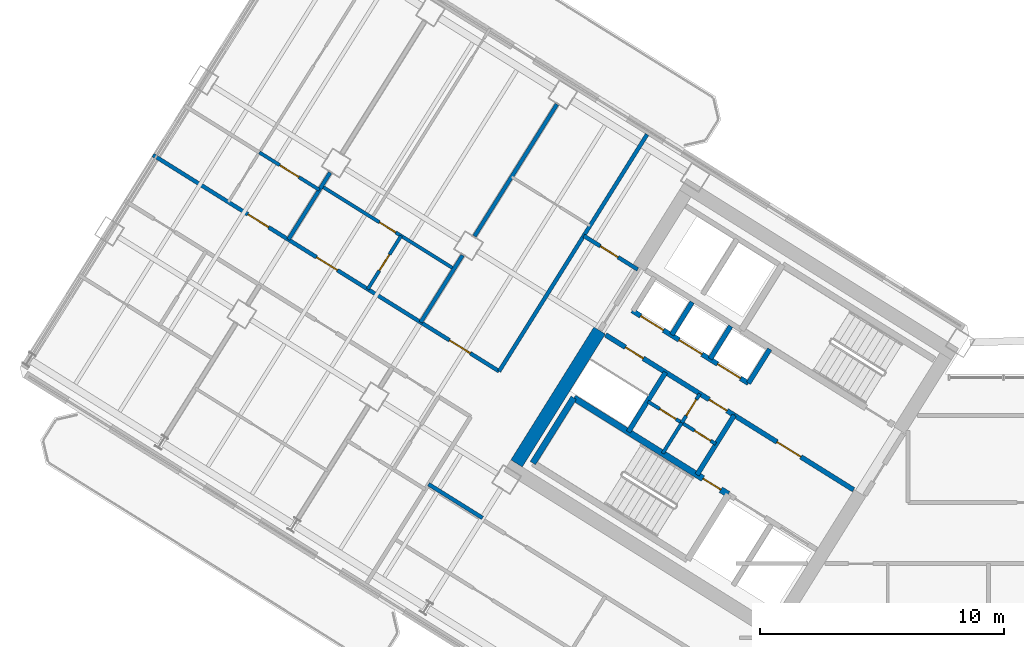
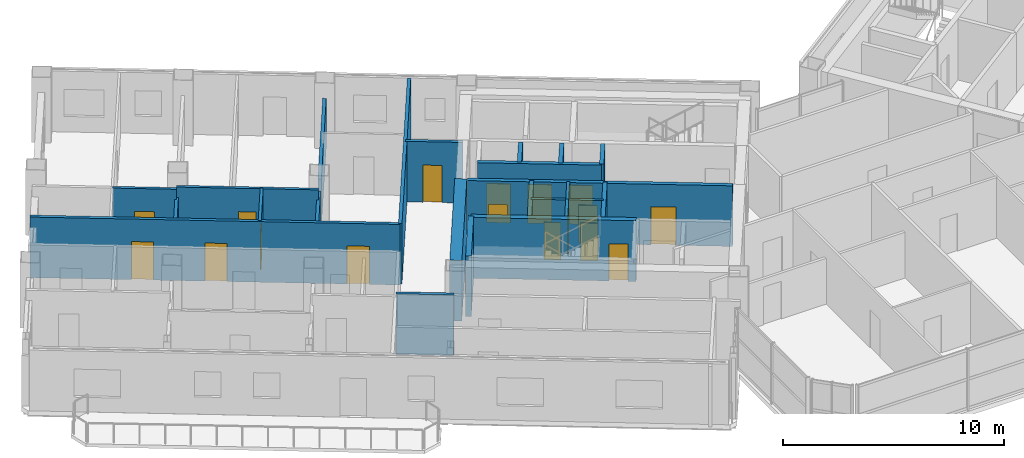
# One storey, part 17 of 29: 24 walls, 17 doors, 17 openings.
"""IFC4 building model written with IfcOpenShell, lengths in metres."""

from ifc_helpers import new_model, si_unit, direction, frame, frame_2d, origin, place, context, subcontext, project, spatial, rectangle, extrude, source, transform, mapped, material, layer, layer_set, type_object, element, fill, save


model = new_model("IFC4")

# Units and contexts
model_context = context("Model", 3, precision=1e-05, world=origin(), true_north=direction((0.0, 1.0)))
body_context = subcontext(model_context, "Body", "Model", "MODEL_VIEW")
ifc_project = project(units=[si_unit("LENGTHUNIT", "METRE"), si_unit("AREAUNIT", "SQUARE_METRE"), si_unit("VOLUMEUNIT", "CUBIC_METRE"), si_unit("PLANEANGLEUNIT", "RADIAN"), si_unit("MASSUNIT", "GRAM", prefix="KILO")], contexts=[model_context])

# Site, building, storey
site_placement = place(None, origin())
site = spatial("IfcSite", under=ifc_project, at=site_placement, CompositionType="ELEMENT")
building_placement = place(site_placement, origin())
building = spatial("IfcBuilding", under=site, at=building_placement, Name="Tlacorven Tower", CompositionType="ELEMENT")
storey_placement = place(building_placement, frame((0.0, 0.0, 158.699951171875)))
storey = spatial("IfcBuildingStorey", under=building, at=storey_placement, Name="L40", CompositionType="ELEMENT", Elevation=158.699951171875)

# Wall
ifc_material_1 = material(Name="Concrete C60/75", Category="concrete")
ifc_layer_1 = layer(ifc_material_1, 0.550048828125)
ifc_layer_set_1 = layer_set([ifc_layer_1], Name="Concrete C60/75")
wall_type_1 = type_object("IfcWallType", Name="WL-COR-550", PredefinedType="SHEAR", material=ifc_layer_set_1)
wall_1_placement = place(storey_placement, frame((26.006591796875, 24.975830078125, 0.0), z_axis=(0.0, 0.0, 1.0), x_axis=(-0.529923795287, -0.848045264823, 0.0)))
element("IfcWall", 1, at=wall_1_placement, inside=storey, type_object=wall_type_1, Name="L40 W core end wall E2.2", PredefinedType="SHEAR", context=body_context, shape_type="SweptSolid", body=[
    extrude(rectangle(XDim=6.425048828125, YDim=0.550048828125, at=frame_2d((3.21240234375, 0.0))), origin(), (0.0, 0.0, 1.0), 3.35009765625),
])

# Wall, opening, door
ifc_material_2 = material(Name="Gypsum plasterboard acoustic partition", Category="gypsum")
ifc_layer_2 = layer(ifc_material_2, 0.159912109375)
ifc_layer_set_2 = layer_set([ifc_layer_2], Name="Gypsum plasterboard acoustic partition")
wall_type_2 = type_object("IfcWallType", Name="WL-DEM-160", PredefinedType="PARTITIONING", material=ifc_layer_set_2)
wall_2_placement = place(storey_placement, frame((27.56982421875, 27.4775390625, 0.0), z_axis=(0.0, 0.0, 1.0), x_axis=(-0.848050851465, 0.529914854792, 0.0)))
wall_2 = element("IfcWall", 2, at=wall_2_placement, inside=storey, type_object=wall_type_2, Name="L40 partition 45", PredefinedType="PARTITIONING", context=body_context, shape_type="SweptSolid", body=[
    extrude(rectangle(XDim=2.60986328125, YDim=0.159912109375, at=frame_2d((1.304931640625, 0.0))), origin(), (0.0, 0.0, 1.0), 3.340087890625),
])
opening_1_placement = place(wall_2_placement, frame((0.949951171875, 0.0, 0.0)))
opening_1 = element("IfcOpeningElement", 3, at=opening_1_placement, cuts=wall_2, Name="Opening D19", PredefinedType="OPENING", context=body_context, shape_type="SweptSolid", body=[
    extrude(rectangle(XDim=0.860107421875, YDim=2.050048828125, at=frame_2d((0.43017578125, 1.02490234375))), frame((0.0, 0.08984375, 0.0), z_axis=(0.0, -1.0, 0.0), x_axis=(1.0, 0.0, 0.0)), (0.0, 0.0, 1.0), 0.179931640625),
])
ifc_material_3 = material(Name="Fire-rated steel door assembly", Category="steel")
door_type_1 = type_object("IfcDoorType", Name="DR-RSR-FD60-0860", OperationType="NOTDEFINED", PredefinedType="DOOR", material=ifc_material_3)
shared_shape_1 = source(origin(), body_context, "Body", "SweptSolid", [
    extrude(rectangle(XDim=0.860107421875, YDim=2.050048828125, at=frame_2d((0.43017578125, 1.02490234375))), frame((0.0, 0.02490234375, 0.0), z_axis=(0.0, -1.0, 0.0), x_axis=(1.0, 0.0, 0.0)), (0.0, 0.0, 1.0), 0.050048828125),
])
door_1_placement = place(opening_1_placement, frame((0.860107421875, 0.0, 0.0), z_axis=(0.0, 0.0, 1.0), x_axis=(-1.0, 0.0, 0.0)))
door_1 = element("IfcDoor", 4, at=door_1_placement, inside=storey, type_object=door_type_1, Name="L40 door 022", OperationType="SINGLE_SWING_RIGHT", OverallHeight=2.050048828125, OverallWidth=0.860107421875, PredefinedType="DOOR", context=body_context, shape_type="MappedRepresentation", body=[
    mapped(shared_shape_1, transform((0.0, 0.0, 0.0), scale=1.0)),
])
fill(opening_1, door_1)

# Walls
wall_3_placement = place(storey_placement, frame((21.20556640625, 17.29248046875, 0.0), z_axis=(0.0, 0.0, 1.0), x_axis=(-0.848050851465, 0.529914854792, 0.0)))
element("IfcWall", 5, at=wall_3_placement, inside=storey, type_object=wall_type_2, Name="L40 partition 46", PredefinedType="PARTITIONING", context=body_context, shape_type="SweptSolid", body=[
    extrude(rectangle(XDim=2.60986328125, YDim=0.159912109375, at=frame_2d((1.304931640625, 0.0))), origin(), (0.0, 0.0, 1.0), 3.340087890625),
])
wall_4_placement = place(storey_placement, frame((27.952880859375, 33.01611328125, 0.0), z_axis=(0.0, 0.0, 1.0), x_axis=(-0.529905022231, -0.848056995381, 0.0)))
element("IfcWall", 6, at=wall_4_placement, inside=storey, type_object=wall_type_2, Name="L40 partition 47", PredefinedType="PARTITIONING", context=body_context, shape_type="SweptSolid", body=[
    extrude(rectangle(XDim=11.449951171875, YDim=0.159912109375, at=frame_2d((5.72509765625, 0.0))), origin(), (0.0, 0.0, 1.0), 3.340087890625),
])

# Wall, openings, doors
wall_5_placement = place(storey_placement, frame((21.885498046875, 23.305908203125, 0.0), z_axis=(0.0, 0.0, 1.0), x_axis=(-0.848052408131, 0.529912363569, 0.0)))
wall_5 = element("IfcWall", 7, at=wall_5_placement, inside=storey, type_object=wall_type_2, Name="L40 Wing W Corridor South Wall", PredefinedType="PARTITIONING", context=body_context, shape_type="SweptSolid", body=[
    extrude(rectangle(XDim=16.72998046875, YDim=0.159912109375, at=frame_2d((8.364990234375, 0.0))), origin(), (0.0, 0.0, 1.0), 3.340087890625),
])
opening_2_placement = place(wall_5_placement, frame((1.39501953125, 0.0, 0.0)))
opening_2 = element("IfcOpeningElement", 8, at=opening_2_placement, cuts=wall_5, Name="Opening D11", PredefinedType="OPENING", context=body_context, shape_type="SweptSolid", body=[
    extrude(rectangle(XDim=1.0, YDim=2.10009765625, at=frame_2d((0.5, 1.050048828125))), frame((0.0, 0.08984375, 0.0), z_axis=(0.0, -1.0, 0.0), x_axis=(1.0, 0.0, 0.0)), (0.0, 0.0, 1.0), 0.179931640625),
])
opening_3_placement = place(wall_5_placement, frame((7.820068359375, 0.0, 0.0)))
opening_3 = element("IfcOpeningElement", 9, at=opening_3_placement, cuts=wall_5, Name="Opening D11", PredefinedType="OPENING", context=body_context, shape_type="SweptSolid", body=[
    extrude(rectangle(XDim=1.0, YDim=2.10009765625, at=frame_2d((0.5, 1.050048828125))), frame((0.0, 0.08984375, 0.0), z_axis=(0.0, -1.0, 0.0), x_axis=(1.0, 0.0, 0.0)), (0.0, 0.0, 1.0), 0.179931640625),
])
opening_4_placement = place(wall_5_placement, frame((11.139892578125, 0.0, 0.0)))
opening_4 = element("IfcOpeningElement", 10, at=opening_4_placement, cuts=wall_5, Name="Opening D11", PredefinedType="OPENING", context=body_context, shape_type="SweptSolid", body=[
    extrude(rectangle(XDim=1.0, YDim=2.10009765625, at=frame_2d((0.5, 1.050048828125))), frame((0.0, 0.08984375, 0.0), z_axis=(0.0, -1.0, 0.0), x_axis=(1.0, 0.0, 0.0)), (0.0, 0.0, 1.0), 0.179931640625),
])
door_type_2 = type_object("IfcDoorType", Name="DR-FLT-FD60-1000", OperationType="NOTDEFINED", PredefinedType="DOOR", material=ifc_material_3)
shared_shape_2 = source(origin(), body_context, "Body", "SweptSolid", [
    extrude(rectangle(XDim=1.0, YDim=2.10009765625, at=frame_2d((0.5, 1.050048828125))), frame((0.0, 0.02490234375, 0.0), z_axis=(0.0, -1.0, 0.0), x_axis=(1.0, 0.0, 0.0)), (0.0, 0.0, 1.0), 0.050048828125),
])
door_2_placement = place(opening_2_placement, origin())
door_2 = element("IfcDoor", 11, at=door_2_placement, inside=storey, type_object=door_type_2, Name="L40 door 032", OperationType="SINGLE_SWING_LEFT", OverallHeight=2.10009765625, OverallWidth=1.0, PredefinedType="DOOR", context=body_context, shape_type="MappedRepresentation", body=[
    mapped(shared_shape_2, transform((0.0, 0.0, 0.0), scale=1.0)),
])
fill(opening_2, door_2)
door_3_placement = place(opening_3_placement, origin())
door_3 = element("IfcDoor", 12, at=door_3_placement, inside=storey, type_object=door_type_2, Name="L40 door 035", OperationType="SINGLE_SWING_RIGHT", OverallHeight=2.10009765625, OverallWidth=1.0, PredefinedType="DOOR", context=body_context, shape_type="MappedRepresentation", body=[
    mapped(shared_shape_2, transform((0.0, 0.0, 0.0), scale=1.0)),
])
fill(opening_3, door_3)
door_4_placement = place(opening_4_placement, origin())
door_4 = element("IfcDoor", 13, at=door_4_placement, inside=storey, type_object=door_type_2, Name="L40 door 039", OperationType="SINGLE_SWING_RIGHT", OverallHeight=2.10009765625, OverallWidth=1.0, PredefinedType="DOOR", context=body_context, shape_type="MappedRepresentation", body=[
    mapped(shared_shape_2, transform((0.0, 0.0, 0.0), scale=1.0)),
])
fill(opening_4, door_4)

# Walls
wall_6_placement = place(storey_placement, frame((24.255615234375, 34.2509765625, 0.0), z_axis=(0.0, 0.0, 1.0), x_axis=(-0.529919772691, -0.848047778437, 0.0)))
element("IfcWall", 14, at=wall_6_placement, inside=storey, type_object=wall_type_2, Name="L40 WS Demising Wall 1", PredefinedType="PARTITIONING", context=body_context, shape_type="SweptSolid", body=[
    extrude(rectangle(XDim=6.375732421875, YDim=0.159912109375, at=frame_2d((3.18798828125, 0.0))), origin(), (0.0, 0.0, 1.0), 2.775146484375),
])
wall_7_placement = place(storey_placement, frame((20.38720703125, 28.060302734375, 0.0), z_axis=(0.0, 0.0, 1.0), x_axis=(-0.529890499457, -0.848066069705, 0.0)))
element("IfcWall", 15, at=wall_7_placement, inside=storey, type_object=wall_type_2, Name="L40 WS Demising Wall 1", PredefinedType="PARTITIONING", context=body_context, shape_type="SweptSolid", body=[
    extrude(rectangle(XDim=3.238037109375, YDim=0.159912109375, at=frame_2d((1.619140625, 0.0))), origin(), (0.0, 0.0, 1.0), 2.775146484375),
])
wall_8_placement = place(storey_placement, frame((14.959716796875, 31.45166015625, 0.0), z_axis=(0.0, 0.0, 1.0), x_axis=(-0.529924383291, -0.848044897393, 0.0)))
element("IfcWall", 16, at=wall_8_placement, inside=storey, type_object=wall_type_2, Name="L40 WS Demising Wall 2", PredefinedType="PARTITIONING", context=body_context, shape_type="SweptSolid", body=[
    extrude(rectangle(XDim=3.23779296875, YDim=0.159912109375, at=frame_2d((1.618896484375, 0.0))), origin(), (0.0, 0.0, 1.0), 2.775146484375),
])

# Wall, opening, door
ifc_material_4 = material(Name="Moisture-resistant gypsum plumbing wall", Category="gypsum")
ifc_layer_3 = layer(ifc_material_4, 0.139892578125)
ifc_layer_set_3 = layer_set([ifc_layer_3], Name="Moisture-resistant gypsum plumbing wall")
wall_type_3 = type_object("IfcWallType", Name="WL-PLM-140", PredefinedType="PLUMBINGWALL", material=ifc_layer_set_3)
wall_9_placement = place(storey_placement, frame((30.117431640625, 22.383544921875, 0.0), z_axis=(0.0, 0.0, 1.0), x_axis=(-0.529951914384, -0.848027693204, 0.0)))
wall_9 = element("IfcWall", 17, at=wall_9_placement, inside=storey, type_object=wall_type_3, Name="L40 partition 23", PredefinedType="PLUMBINGWALL", context=body_context, shape_type="SweptSolid", body=[
    extrude(rectangle(XDim=1.39990234375, YDim=0.139892578125, at=frame_2d((0.699951171875, 0.0))), origin(), (0.0, 0.0, 1.0), 3.340087890625),
])
opening_5_placement = place(wall_9_placement, frame((0.280029296875, 0.0, 0.0)))
opening_5 = element("IfcOpeningElement", 18, at=opening_5_placement, cuts=wall_9, Name="Opening D22", PredefinedType="OPENING", context=body_context, shape_type="SweptSolid", body=[
    extrude(rectangle(XDim=0.780029296875, YDim=2.050048828125, at=frame_2d((0.39013671875, 1.02490234375))), frame((0.0, 0.080078125, 0.0), z_axis=(0.0, -1.0, 0.0), x_axis=(1.0, 0.0, 0.0)), (0.0, 0.0, 1.0), 0.159912109375),
])
ifc_material_5 = material(Name="Powder-coated aluminium and timber door", Category="wood")
door_type_3 = type_object("IfcDoorType", Name="DR-INT-WET-0780", OperationType="NOTDEFINED", PredefinedType="DOOR", material=ifc_material_5)
shared_shape_3 = source(origin(), body_context, "Body", "SweptSolid", [
    extrude(rectangle(XDim=0.780029296875, YDim=2.050048828125, at=frame_2d((0.39013671875, 1.02490234375))), frame((0.0, 0.02490234375, 0.0), z_axis=(0.0, -1.0, 0.0), x_axis=(1.0, 0.0, 0.0)), (0.0, 0.0, 1.0), 0.050048828125),
])
door_5_placement = place(opening_5_placement, origin())
door_5 = element("IfcDoor", 19, at=door_5_placement, inside=storey, type_object=door_type_3, Name="L40 door 011", OperationType="SINGLE_SWING_LEFT", OverallHeight=2.050048828125, OverallWidth=0.780029296875, PredefinedType="DOOR", context=body_context, shape_type="MappedRepresentation", body=[
    mapped(shared_shape_3, transform((0.0, 0.0, 0.0), scale=1.0)),
])
fill(opening_5, door_5)

# Wall
wall_10_placement = place(storey_placement, frame((29.37548828125, 21.1962890625, 0.0), z_axis=(0.0, 0.0, 1.0), x_axis=(-0.529865479138, -0.848081702443, 0.0)))
element("IfcWall", 20, at=wall_10_placement, inside=storey, type_object=wall_type_3, Name="L40 partition 24", PredefinedType="PLUMBINGWALL", context=body_context, shape_type="SweptSolid", body=[
    extrude(rectangle(XDim=1.47998046875, YDim=0.139892578125, at=frame_2d((0.739990234375, 0.0))), origin(), (0.0, 0.0, 1.0), 3.340087890625),
])

# Wall, openings, doors
wall_11_placement = place(storey_placement, frame((30.766357421875, 20.3271484375, 0.0), z_axis=(0.0, 0.0, 1.0), x_axis=(-0.848052663127, 0.529911955482, 0.0)))
wall_11 = element("IfcWall", 21, at=wall_11_placement, inside=storey, type_object=wall_type_3, Name="L40 partition 25", PredefinedType="PLUMBINGWALL", context=body_context, shape_type="SweptSolid", body=[
    extrude(rectangle(XDim=3.27978515625, YDim=0.139892578125, at=frame_2d((1.639892578125, 0.0))), origin(), (0.0, 0.0, 1.0), 3.340087890625),
])
opening_6_placement = place(wall_11_placement, frame((0.25, 0.0, 0.0)))
opening_6 = element("IfcOpeningElement", 22, at=opening_6_placement, cuts=wall_11, Name="Opening D22", PredefinedType="OPENING", context=body_context, shape_type="SweptSolid", body=[
    extrude(rectangle(XDim=0.780029296875, YDim=2.050048828125, at=frame_2d((0.39013671875, 1.02490234375))), frame((0.0, 0.080078125, 0.0), z_axis=(0.0, -1.0, 0.0), x_axis=(1.0, 0.0, 0.0)), (0.0, 0.0, 1.0), 0.159912109375),
])
opening_7_placement = place(wall_11_placement, frame((1.919921875, 0.0, 0.0)))
opening_7 = element("IfcOpeningElement", 23, at=opening_7_placement, cuts=wall_11, Name="Opening D22", PredefinedType="OPENING", context=body_context, shape_type="SweptSolid", body=[
    extrude(rectangle(XDim=0.780029296875, YDim=2.050048828125, at=frame_2d((0.39013671875, 1.02490234375))), frame((0.0, 0.080078125, 0.0), z_axis=(0.0, -1.0, 0.0), x_axis=(1.0, 0.0, 0.0)), (0.0, 0.0, 1.0), 0.159912109375),
])
door_6_placement = place(opening_6_placement, origin())
door_6 = element("IfcDoor", 24, at=door_6_placement, inside=storey, type_object=door_type_3, Name="L40 door 012", OperationType="SINGLE_SWING_RIGHT", OverallHeight=2.050048828125, OverallWidth=0.780029296875, PredefinedType="DOOR", context=body_context, shape_type="MappedRepresentation", body=[
    mapped(shared_shape_3, transform((0.0, 0.0, 0.0), scale=1.0)),
])
fill(opening_6, door_6)
door_7_placement = place(opening_7_placement, origin())
door_7 = element("IfcDoor", 25, at=door_7_placement, inside=storey, type_object=door_type_3, Name="L40 door 013", OperationType="SINGLE_SWING_LEFT", OverallHeight=2.050048828125, OverallWidth=0.780029296875, PredefinedType="DOOR", context=body_context, shape_type="MappedRepresentation", body=[
    mapped(shared_shape_3, transform((0.0, 0.0, 0.0), scale=1.0)),
])
fill(opening_7, door_7)

# Wall, opening, door
wall_12_placement = place(storey_placement, frame((20.03857421875, 27.502197265625, 0.0), z_axis=(0.0, 0.0, 1.0), x_axis=(-0.848039019877, 0.529933789039, 0.0)))
wall_12 = element("IfcWall", 26, at=wall_12_placement, inside=storey, type_object=wall_type_3, Name="L40 partition 62", PredefinedType="PLUMBINGWALL", context=body_context, shape_type="SweptSolid", body=[
    extrude(rectangle(XDim=6.400146484375, YDim=0.139892578125, at=frame_2d((3.2001953125, 0.0))), origin(), (0.0, 0.0, 1.0), 3.340087890625),
])
opening_8_placement = place(wall_12_placement, frame((2.823974609375, 0.0, 0.0)))
opening_8 = element("IfcOpeningElement", 27, at=opening_8_placement, cuts=wall_12, Name="Opening D22", PredefinedType="OPENING", context=body_context, shape_type="SweptSolid", body=[
    extrude(rectangle(XDim=0.780029296875, YDim=2.050048828125, at=frame_2d((0.39013671875, 1.02490234375))), frame((0.0, 0.080078125, 0.0), z_axis=(0.0, -1.0, 0.0), x_axis=(1.0, 0.0, 0.0)), (0.0, 0.0, 1.0), 0.159912109375),
])
door_8_placement = place(opening_8_placement, origin())
door_8 = element("IfcDoor", 28, at=door_8_placement, inside=storey, type_object=door_type_3, Name="L40 door 036", OperationType="SINGLE_SWING_LEFT", OverallHeight=2.050048828125, OverallWidth=0.780029296875, PredefinedType="DOOR", context=body_context, shape_type="MappedRepresentation", body=[
    mapped(shared_shape_3, transform((0.0, 0.0, 0.0), scale=1.0)),
])
fill(opening_8, door_8)

wall_13_placement = place(storey_placement, frame((17.867431640625, 28.85888671875, 0.0), z_axis=(0.0, 0.0, 1.0), x_axis=(-0.529913878929, -0.848051461244, 0.0)))
wall_13 = element("IfcWall", 29, at=wall_13_placement, inside=storey, type_object=wall_type_3, Name="L40 partition 63", PredefinedType="PLUMBINGWALL", context=body_context, shape_type="SweptSolid", body=[
    extrude(rectangle(XDim=2.580078125, YDim=0.139892578125, at=frame_2d((1.2900390625, 0.0))), origin(), (0.0, 0.0, 1.0), 3.340087890625),
])
opening_9_placement = place(wall_13_placement, frame((0.89990234375, 0.0, 0.0)))
opening_9 = element("IfcOpeningElement", 30, at=opening_9_placement, cuts=wall_13, Name="Opening D22", PredefinedType="OPENING", context=body_context, shape_type="SweptSolid", body=[
    extrude(rectangle(XDim=0.780029296875, YDim=2.050048828125, at=frame_2d((0.39013671875, 1.02490234375))), frame((0.0, 0.080078125, 0.0), z_axis=(0.0, -1.0, 0.0), x_axis=(1.0, 0.0, 0.0)), (0.0, 0.0, 1.0), 0.159912109375),
])
door_9_placement = place(opening_9_placement, origin())
door_9 = element("IfcDoor", 31, at=door_9_placement, inside=storey, type_object=door_type_3, Name="L40 door 037", OperationType="SINGLE_SWING_RIGHT", OverallHeight=2.050048828125, OverallWidth=0.780029296875, PredefinedType="DOOR", context=body_context, shape_type="MappedRepresentation", body=[
    mapped(shared_shape_3, transform((0.0, 0.0, 0.0), scale=1.0)),
])
fill(opening_9, door_9)

wall_14_placement = place(storey_placement, frame((14.515625, 30.7412109375, 0.0), z_axis=(0.0, 0.0, 1.0), x_axis=(-0.848059786386, 0.529900555496, 0.0)))
wall_14 = element("IfcWall", 32, at=wall_14_placement, inside=storey, type_object=wall_type_3, Name="L40 partition 67", PredefinedType="PLUMBINGWALL", context=body_context, shape_type="SweptSolid", body=[
    extrude(rectangle(XDim=2.89990234375, YDim=0.139892578125, at=frame_2d((1.449951171875, 0.0))), origin(), (0.0, 0.0, 1.0), 3.340087890625),
])
opening_10_placement = place(wall_14_placement, frame((0.989990234375, 0.0, 0.0)))
opening_10 = element("IfcOpeningElement", 33, at=opening_10_placement, cuts=wall_14, Name="Opening D12", PredefinedType="OPENING", context=body_context, shape_type="SweptSolid", body=[
    extrude(rectangle(XDim=0.919921875, YDim=2.080078125, at=frame_2d((0.4599609375, 1.0400390625))), frame((0.0, 0.080078125, 0.0), z_axis=(0.0, -1.0, 0.0), x_axis=(1.0, 0.0, 0.0)), (0.0, 0.0, 1.0), 0.159912109375),
])
door_type_4 = type_object("IfcDoorType", Name="DR-INT-ROOM-0920", OperationType="NOTDEFINED", PredefinedType="DOOR", material=ifc_material_5)
shared_shape_4 = source(origin(), body_context, "Body", "SweptSolid", [
    extrude(rectangle(XDim=0.919921875, YDim=2.080078125, at=frame_2d((0.4599609375, 1.0400390625))), frame((0.0, 0.02490234375, 0.0), z_axis=(0.0, -1.0, 0.0), x_axis=(1.0, 0.0, 0.0)), (0.0, 0.0, 1.0), 0.050048828125),
])
door_10_placement = place(opening_10_placement, origin())
door_10 = element("IfcDoor", 34, at=door_10_placement, inside=storey, type_object=door_type_4, Name="L40 door 040", OperationType="SINGLE_SWING_LEFT", OverallHeight=2.080078125, OverallWidth=0.919921875, PredefinedType="DOOR", context=body_context, shape_type="MappedRepresentation", body=[
    mapped(shared_shape_4, transform((0.0, 0.0, 0.0), scale=1.0)),
])
fill(opening_10, door_10)

ifc_material_6 = material(Name="Concrete C40/50", Category="concrete")
ifc_layer_4 = layer(ifc_material_6, 0.199951171875)
ifc_layer_set_4 = layer_set([ifc_layer_4], Name="Concrete C40/50")
wall_type_4 = type_object("IfcWallType", Name="WL-SHF-200", PredefinedType="STANDARD", material=ifc_layer_set_4)
wall_15_placement = place(storey_placement, frame((36.416748046875, 18.447265625, 0.0), z_axis=(0.0, 0.0, 1.0), x_axis=(-0.848064879198, 0.529892404805, 0.0)))
wall_15 = element("IfcWall", 35, at=wall_15_placement, inside=storey, type_object=wall_type_4, Name="L40 Core W Smoke Lobby Wall", PredefinedType="STANDARD", context=body_context, shape_type="SweptSolid", body=[
    extrude(rectangle(XDim=5.76806640625, YDim=0.199951171875, at=frame_2d((2.884033203125, 0.0))), origin(), (0.0, 0.0, 1.0), 3.340087890625),
])
opening_11_placement = place(wall_15_placement, frame((2.548095703125, 0.0, 0.0)))
opening_11 = element("IfcOpeningElement", 36, at=opening_11_placement, cuts=wall_15, Name="Opening D09", PredefinedType="OPENING", context=body_context, shape_type="SweptSolid", body=[
    extrude(rectangle(XDim=1.14990234375, YDim=2.10009765625, at=frame_2d((0.574951171875, 1.050048828125))), frame((0.0, 0.10986328125, 0.0), z_axis=(0.0, -1.0, 0.0), x_axis=(1.0, 0.0, 0.0)), (0.0, 0.0, 1.0), 0.219970703125),
])
door_type_5 = type_object("IfcDoorType", Name="DR-FFL-FD60-1150", OperationType="NOTDEFINED", PredefinedType="DOOR", material=ifc_material_3)
shared_shape_5 = source(origin(), body_context, "Body", "SweptSolid", [
    extrude(rectangle(XDim=1.14990234375, YDim=2.10009765625, at=frame_2d((0.574951171875, 1.050048828125))), frame((0.0, 0.02490234375, 0.0), z_axis=(0.0, -1.0, 0.0), x_axis=(1.0, 0.0, 0.0)), (0.0, 0.0, 1.0), 0.050048828125),
])
door_11_placement = place(opening_11_placement, origin())
door_11 = element("IfcDoor", 37, at=door_11_placement, inside=storey, type_object=door_type_5, Name="L40 Firefighting Lobby W Fire Door", OperationType="SINGLE_SWING_RIGHT", OverallHeight=2.10009765625, OverallWidth=1.14990234375, PredefinedType="DOOR", context=body_context, shape_type="MappedRepresentation", body=[
    mapped(shared_shape_5, transform((0.0, 0.0, 0.0), scale=1.0)),
])
fill(opening_11, door_11)

# Wall, openings, doors
wall_16_placement = place(storey_placement, frame((32.108154296875, 22.81396484375, 0.0), z_axis=(0.0, 0.0, 1.0), x_axis=(-0.848042229521, 0.529928652696, 0.0)))
wall_16 = element("IfcWall", 38, at=wall_16_placement, inside=storey, type_object=wall_type_4, Name="L40 partition 11", PredefinedType="STANDARD", context=body_context, shape_type="SweptSolid", body=[
    extrude(rectangle(XDim=5.6201171875, YDim=0.199951171875, at=frame_2d((2.81005859375, 0.0))), origin(), (0.0, 0.0, 1.0), 3.340087890625),
])
opening_12_placement = place(wall_16_placement, frame((0.389892578125, 0.0, 0.0)))
opening_12 = element("IfcOpeningElement", 39, at=opening_12_placement, cuts=wall_16, Name="Opening LD01", PredefinedType="OPENING", context=body_context, shape_type="SweptSolid", body=[
    extrude(rectangle(XDim=1.10009765625, YDim=2.14990234375, at=frame_2d((0.550048828125, 1.074951171875))), frame((0.0, 0.10986328125, 0.0), z_axis=(0.0, -1.0, 0.0), x_axis=(1.0, 0.0, 0.0)), (0.0, 0.0, 1.0), 0.219970703125),
])
opening_13_placement = place(wall_16_placement, frame((2.25, 0.0, 0.0)))
opening_13 = element("IfcOpeningElement", 40, at=opening_13_placement, cuts=wall_16, Name="Opening LD01", PredefinedType="OPENING", context=body_context, shape_type="SweptSolid", body=[
    extrude(rectangle(XDim=1.10009765625, YDim=2.14990234375, at=frame_2d((0.550048828125, 1.074951171875))), frame((0.0, 0.10986328125, 0.0), z_axis=(0.0, -1.0, 0.0), x_axis=(1.0, 0.0, 0.0)), (0.0, 0.0, 1.0), 0.219970703125),
])
opening_14_placement = place(wall_16_placement, frame((4.110107421875, 0.0, 0.0)))
opening_14 = element("IfcOpeningElement", 41, at=opening_14_placement, cuts=wall_16, Name="Opening LD01", PredefinedType="OPENING", context=body_context, shape_type="SweptSolid", body=[
    extrude(rectangle(XDim=1.10009765625, YDim=2.14990234375, at=frame_2d((0.550048828125, 1.074951171875))), frame((0.0, 0.10986328125, 0.0), z_axis=(0.0, -1.0, 0.0), x_axis=(1.0, 0.0, 0.0)), (0.0, 0.0, 1.0), 0.219970703125),
])
door_type_6 = type_object("IfcDoorType", Name="DR-LFT-SLID-1100", OperationType="DOUBLE_DOOR_SLIDING", PredefinedType="DOOR", material=ifc_material_3)
shared_shape_6 = source(origin(), body_context, "Body", "SweptSolid", [
    extrude(rectangle(XDim=1.10009765625, YDim=2.14990234375, at=frame_2d((0.550048828125, 1.074951171875))), frame((0.0, 0.02490234375, 0.0), z_axis=(0.0, -1.0, 0.0), x_axis=(1.0, 0.0, 0.0)), (0.0, 0.0, 1.0), 0.050048828125),
])
door_12_placement = place(opening_12_placement, origin())
door_12 = element("IfcDoor", 42, at=door_12_placement, inside=storey, type_object=door_type_6, Name="L40 Lift PL-M1 Sliding Landing Door", OperationType="DOUBLE_DOOR_SLIDING", OverallHeight=2.14990234375, OverallWidth=1.10009765625, PredefinedType="DOOR", context=body_context, shape_type="MappedRepresentation", body=[
    mapped(shared_shape_6, transform((0.0, 0.0, 0.0), scale=1.0)),
])
fill(opening_12, door_12)
door_13_placement = place(opening_13_placement, origin())
door_13 = element("IfcDoor", 43, at=door_13_placement, inside=storey, type_object=door_type_6, Name="L40 Lift PL-M2 Sliding Landing Door", OperationType="DOUBLE_DOOR_SLIDING", OverallHeight=2.14990234375, OverallWidth=1.10009765625, PredefinedType="DOOR", context=body_context, shape_type="MappedRepresentation", body=[
    mapped(shared_shape_6, transform((0.0, 0.0, 0.0), scale=1.0)),
])
fill(opening_13, door_13)
door_14_placement = place(opening_14_placement, origin())
door_14 = element("IfcDoor", 44, at=door_14_placement, inside=storey, type_object=door_type_6, Name="L40 Lift PL-M3 Sliding Landing Door", OperationType="DOUBLE_DOOR_SLIDING", OverallHeight=2.14990234375, OverallWidth=1.10009765625, PredefinedType="DOOR", context=body_context, shape_type="MappedRepresentation", body=[
    mapped(shared_shape_6, transform((0.0, 0.0, 0.0), scale=1.0)),
])
fill(opening_14, door_14)

# Walls
wall_17_placement = place(storey_placement, frame((32.982421875, 24.21337890625, 0.0), z_axis=(0.0, 0.0, 1.0), x_axis=(-0.529839334948, -0.84809803628, 0.0)))
element("IfcWall", 45, at=wall_17_placement, inside=storey, type_object=wall_type_4, Name="L40 partition 12", PredefinedType="STANDARD", context=body_context, shape_type="SweptSolid", body=[
    extrude(rectangle(XDim=1.650146484375, YDim=0.199951171875, at=frame_2d((0.8251953125, 0.0))), origin(), (0.0, 0.0, 1.0), 3.340087890625),
])
for number, where, z_axis, x_axis, name in (
    (46, (31.378662109375, 25.156494140625, 0.0), (0.0, 0.0, 1.0), (-0.529998940003, -0.847998304005, 0.0), "L40 partition 18"),
    (47, (29.80126953125, 26.14208984375, 0.0), (0.0, 0.0, 1.0), (-0.529998940003, -0.847998304005, 0.0), "L40 partition 19"),
):
    element("IfcWall", number, at=place(storey_placement, frame(where, z_axis=z_axis, x_axis=x_axis)), inside=storey, type_object=wall_type_4, Name=name, PredefinedType="STANDARD", context=body_context, shape_type="SweptSolid", body=[
        extrude(rectangle(XDim=1.580078125, YDim=0.199951171875, at=frame_2d((0.7900390625, 0.0))), origin(), (0.0, 0.0, 1.0), 3.340087890625),
    ])
for number, where, z_axis, x_axis, name in (
    (48, (31.525146484375, 21.503662109375, 0.0), (0.0, 0.0, 1.0), (-0.529907497854, -0.848055448493, 0.0), "L40 partition 20"),
    (49, (28.709716796875, 23.26318359375, 0.0), (0.0, 0.0, 1.0), (-0.529907497854, -0.848055448493, 0.0), "L40 partition 21"),
):
    element("IfcWall", number, at=place(storey_placement, frame(where, z_axis=z_axis, x_axis=x_axis)), inside=storey, type_object=wall_type_4, Name=name, PredefinedType="STANDARD", context=body_context, shape_type="SweptSolid", body=[
        extrude(rectangle(XDim=2.8798828125, YDim=0.199951171875, at=frame_2d((1.43994140625, 0.0))), origin(), (0.0, 0.0, 1.0), 3.340087890625),
    ])

# Wall, openings, doors
wall_18_placement = place(storey_placement, frame((31.525146484375, 21.503662109375, 0.0), z_axis=(0.0, 0.0, 1.0), x_axis=(-0.848040211232, 0.529931882541, 0.0)))
wall_18 = element("IfcWall", 50, at=wall_18_placement, inside=storey, type_object=wall_type_4, Name="L40 Core W North Service Wall", PredefinedType="STANDARD", context=body_context, shape_type="SweptSolid", body=[
    extrude(rectangle(XDim=6.218017578125, YDim=0.199951171875, at=frame_2d((3.10888671875, 0.0))), origin(), (0.0, 0.0, 1.0), 3.340087890625),
])
opening_15_placement = place(wall_18_placement, frame((4.39990234375, 0.0, 0.0)))
opening_15 = element("IfcOpeningElement", 51, at=opening_15_placement, cuts=wall_18, Name="Opening D19", PredefinedType="OPENING", context=body_context, shape_type="SweptSolid", body=[
    extrude(rectangle(XDim=0.860107421875, YDim=2.050048828125, at=frame_2d((0.43017578125, 1.02490234375))), frame((0.0, 0.10986328125, 0.0), z_axis=(0.0, -1.0, 0.0), x_axis=(1.0, 0.0, 0.0)), (0.0, 0.0, 1.0), 0.219970703125),
])
opening_16_placement = place(wall_18_placement, frame((0.35009765625, 0.0, 0.0)))
opening_16 = element("IfcOpeningElement", 52, at=opening_16_placement, cuts=wall_18, Name="Opening D19", PredefinedType="OPENING", context=body_context, shape_type="SweptSolid", body=[
    extrude(rectangle(XDim=0.860107421875, YDim=2.050048828125, at=frame_2d((0.43017578125, 1.02490234375))), frame((0.0, 0.10986328125, 0.0), z_axis=(0.0, -1.0, 0.0), x_axis=(1.0, 0.0, 0.0)), (0.0, 0.0, 1.0), 0.219970703125),
])
door_15_placement = place(opening_15_placement, frame((0.860107421875, 0.0, 0.0), z_axis=(0.0, 0.0, 1.0), x_axis=(-1.0, 0.0, 0.0)))
door_15 = element("IfcDoor", 53, at=door_15_placement, inside=storey, type_object=door_type_1, Name="L40 Electrical Riser Access Door W", OperationType="SINGLE_SWING_LEFT", OverallHeight=2.050048828125, OverallWidth=0.860107421875, PredefinedType="DOOR", context=body_context, shape_type="MappedRepresentation", body=[
    mapped(shared_shape_1, transform((0.0, 0.0, 0.0), scale=1.0)),
])
fill(opening_15, door_15)
door_16_placement = place(opening_16_placement, frame((0.860107421875, 0.0, 0.0), z_axis=(0.0, 0.0, 1.0), x_axis=(-1.0, 0.0, 0.0)))
door_16 = element("IfcDoor", 54, at=door_16_placement, inside=storey, type_object=door_type_1, Name="L40 Cleaning Room Access Door W", OperationType="SINGLE_SWING_RIGHT", OverallHeight=2.050048828125, OverallWidth=0.860107421875, PredefinedType="DOOR", context=body_context, shape_type="MappedRepresentation", body=[
    mapped(shared_shape_1, transform((0.0, 0.0, 0.0), scale=1.0)),
])
fill(opening_16, door_16)

# Wall, opening, door
ifc_material_7 = material(Name="Concrete C50/60", Category="concrete")
ifc_layer_5 = layer(ifc_material_7, 0.260009765625)
ifc_layer_set_5 = layer_set([ifc_layer_5], Name="Concrete C50/60")
wall_type_5 = type_object("IfcWallType", Name="WL-STW-260", PredefinedType="SHEAR", material=ifc_layer_set_5)
wall_19_placement = place(storey_placement, frame((31.279541015625, 18.26123046875, 0.0), z_axis=(0.0, 0.0, 1.0), x_axis=(-0.848051618787, 0.529913626805, 0.0)))
wall_19 = element("IfcWall", 55, at=wall_19_placement, inside=storey, type_object=wall_type_5, Name="L40 Stair W1 Lobby Shear Wall", PredefinedType="SHEAR", context=body_context, shape_type="SweptSolid", body=[
    extrude(rectangle(XDim=7.4599609375, YDim=0.260009765625, at=frame_2d((3.72998046875, 0.0))), origin(), (0.0, 0.0, 1.0), 3.35009765625),
])
opening_17_placement = place(wall_19_placement, frame((0.360107421875, 0.0, 0.0)))
opening_17 = element("IfcOpeningElement", 56, at=opening_17_placement, cuts=wall_19, Name="Opening D19", PredefinedType="OPENING", context=body_context, shape_type="SweptSolid", body=[
    extrude(rectangle(XDim=0.860107421875, YDim=2.050048828125, at=frame_2d((0.43017578125, 1.02490234375))), frame((0.0, 0.14013671875, 0.0), z_axis=(0.0, -1.0, 0.0), x_axis=(1.0, 0.0, 0.0)), (0.0, 0.0, 1.0), 0.280029296875),
])
door_17_placement = place(opening_17_placement, frame((0.860107421875, 0.0, 0.0), z_axis=(0.0, 0.0, 1.0), x_axis=(-1.0, 0.0, 0.0)))
door_17 = element("IfcDoor", 57, at=door_17_placement, inside=storey, type_object=door_type_1, Name="L40 Exit Stair W1 Fire Door", OperationType="SINGLE_SWING_LEFT", OverallHeight=2.050048828125, OverallWidth=0.860107421875, PredefinedType="DOOR", context=body_context, shape_type="MappedRepresentation", body=[
    mapped(shared_shape_1, transform((0.0, 0.0, 0.0), scale=1.0)),
])
fill(opening_17, door_17)

# Wall
wall_20_placement = place(storey_placement, frame((24.944580078125, 22.2197265625, 0.0), z_axis=(0.0, 0.0, 1.0), x_axis=(-0.529908658664, -0.84805472316, 0.0)))
element("IfcWall", 58, at=wall_20_placement, inside=storey, type_object=wall_type_5, Name="L40 Stair W1 East Shear Wall", PredefinedType="SHEAR", context=body_context, shape_type="SweptSolid", body=[
    extrude(rectangle(XDim=3.16015625, YDim=0.260009765625, at=frame_2d((1.580078125, 0.0))), origin(), (0.0, 0.0, 1.0), 3.35009765625),
])

save(model, "model.ifc")
